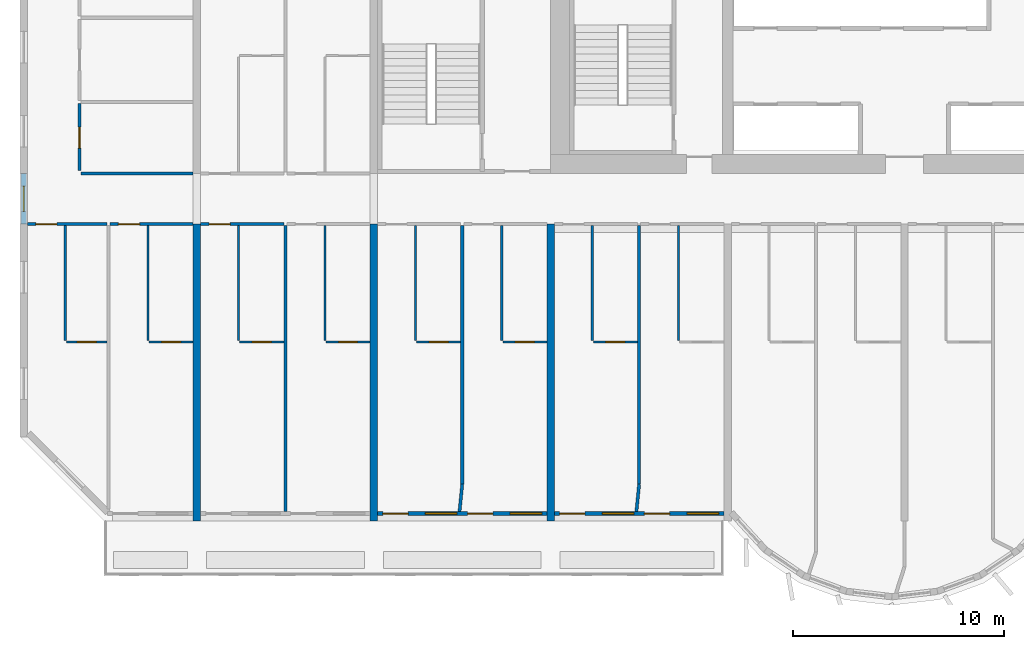
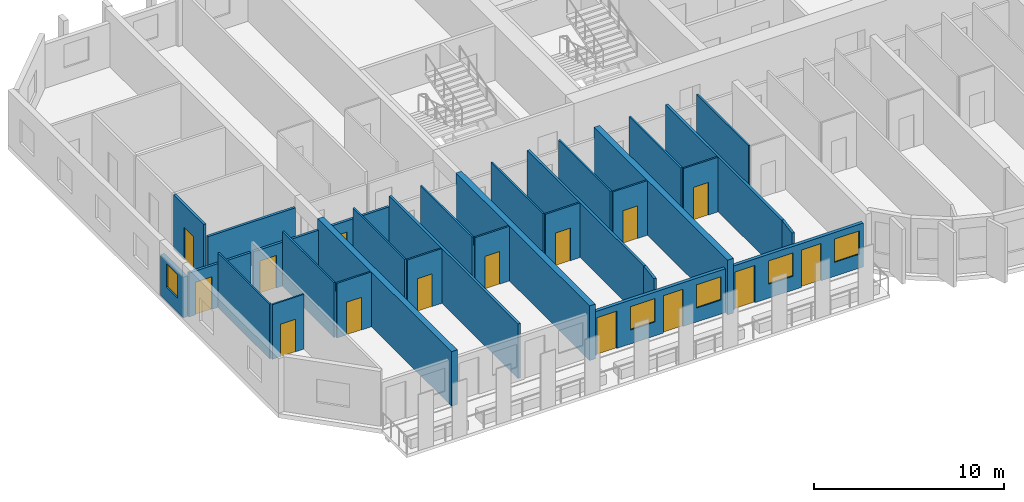
# One storey, part 3 of 15: 31 walls, 15 doors, 5 windows, 20 openings.
"""IFC4 building model written with IfcOpenShell, lengths in metres."""

from ifc_helpers import new_model, si_unit, direction, frame, frame_2d, origin, place, context, subcontext, project, spatial, rectangle, extrude, source, transform, mapped, material, layer, layer_set, type_object, element, fill, save


model = new_model("IFC4")

# Units and contexts
model_context = context("Model", 3, precision=1e-05, world=origin(), true_north=direction((0.0, 1.0)))
body_context = subcontext(model_context, "Body", "Model", "MODEL_VIEW")
ifc_project = project(units=[si_unit("LENGTHUNIT", "METRE"), si_unit("AREAUNIT", "SQUARE_METRE"), si_unit("VOLUMEUNIT", "CUBIC_METRE"), si_unit("PLANEANGLEUNIT", "RADIAN"), si_unit("MASSUNIT", "GRAM", prefix="KILO")], contexts=[model_context])

# Site, building, storey
site_placement = place(None, origin())
site = spatial("IfcSite", under=ifc_project, at=site_placement, CompositionType="ELEMENT")
building_placement = place(site_placement, origin())
building = spatial("IfcBuilding", under=site, at=building_placement, Name="Vanashikhar Sky Hotel", CompositionType="ELEMENT")
storey_placement = place(building_placement, frame((0.0, 0.0, 106.60009765625)))
storey = spatial("IfcBuildingStorey", under=building, at=storey_placement, Name="L25", CompositionType="ELEMENT", Elevation=106.60009765625)

# Walls
ifc_material_1 = material(Name="Concrete M70", Category="concrete")
ifc_layer_1 = layer(ifc_material_1, 0.35009765625)
ifc_layer_set_1 = layer_set([ifc_layer_1], Name="RC shear wall 350 Concrete M70")
wall_type_1 = type_object("IfcWallType", Name="RC shear wall 350 Concrete M70", PredefinedType="SHEAR", material=ifc_layer_set_1)
shared_shape_1 = source(origin(), body_context, "Body", "SweptSolid", [
    extrude(rectangle(XDim=14.10009765625, YDim=0.35009765625, at=frame_2d((7.050048828125, 0.0))), origin(), (0.0, 0.0, 1.0), 3.52001953125),
])
for number, where, z_axis, x_axis, name in (
    (1, (8.39990234375, 5.5, 0.0), (0.0, 0.0, 1.0), (0.0, 1.0, 0.0), "CW-L25-XW02-1"),
    (2, (16.800048828125, 5.5, 0.0), (0.0, 0.0, 1.0), (0.0, 1.0, 0.0), "CW-L25-XW03-1"),
    (3, (25.199951171875, 5.5, 0.0), (0.0, 0.0, 1.0), (0.0, 1.0, 0.0), "CW-L25-XW04-1"),
):
    element("IfcWall", number, at=place(storey_placement, frame(where, z_axis=z_axis, x_axis=x_axis)), inside=storey, type_object=wall_type_1, Name=name, PredefinedType="SHEAR", context=body_context, shape_type="MappedRepresentation", body=[
        mapped(shared_shape_1, transform((0.0, 0.0, 0.0), scale=1.0)),
    ])

# Wall, opening, window
ifc_material_2 = material(Name="Concrete M50", Category="concrete")
ifc_layer_2 = layer(ifc_material_2, 0.25)
ifc_layer_set_2 = layer_set([ifc_layer_2], Name="Rear and end board-marked wall 250")
wall_type_2 = type_object("IfcWallType", Name="Rear and end board-marked wall 250", PredefinedType="SOLIDWALL", material=ifc_layer_set_2)
shared_shape_2 = source(origin(), body_context, "Body", "SweptSolid", [
    extrude(rectangle(XDim=2.39990234375, YDim=0.25, at=frame_2d((1.199951171875, 0.0))), origin(), (0.0, 0.0, 1.0), 2.619873046875),
])
wall_1_placement = place(storey_placement, frame((0.175048828125, 19.60009765625, 0.0), z_axis=(0.0, 0.0, 1.0), x_axis=(0.0, 1.0, 0.0)))
wall_1 = element("IfcWall", 4, at=wall_1_placement, inside=storey, type_object=wall_type_2, Name="End corridor infill wall", PredefinedType="SOLIDWALL", context=body_context, shape_type="MappedRepresentation", body=[
    mapped(shared_shape_2, transform((0.0, 0.0, 0.0), scale=1.0)),
])
shared_shape_3 = source(origin(), body_context, "Body", "SweptSolid", [
    extrude(rectangle(XDim=1.199951171875, YDim=1.5, at=frame_2d((0.60009765625, 0.75))), frame((0.0, 0.135009765625, 0.0), z_axis=(0.0, -1.0, 0.0), x_axis=(1.0, 0.0, 0.0)), (0.0, 0.0, 1.0), 0.27001953125),
])
opening_1_placement = place(wall_1_placement, frame((0.60009765625, 0.0, 0.89990234375)))
opening_1 = element("IfcOpeningElement", 5, at=opening_1_placement, cuts=wall_1, Name="Opening WN-3", PredefinedType="OPENING", context=body_context, shape_type="MappedRepresentation", body=[
    mapped(shared_shape_3, transform((0.0, 0.0, 0.0), scale=1.0)),
])
ifc_material_3 = material(Name="Glass", Category="glass")
window_type_1 = type_object("IfcWindowType", Name="Corridor end window 1200 x 1500", PartitioningType="SINGLE_PANEL", PredefinedType="WINDOW", material=ifc_material_3)
shared_shape_4 = source(origin(), body_context, "Body", "SweptSolid", [
    extrude(rectangle(XDim=1.199951171875, YDim=1.5, at=frame_2d((0.60009765625, 0.75))), frame((0.0, 0.030029296875, 0.0), z_axis=(0.0, -1.0, 0.0), x_axis=(1.0, 0.0, 0.0)), (0.0, 0.0, 1.0), 0.06005859375),
])
window_1_placement = place(opening_1_placement, origin())
window_1 = element("IfcWindow", 6, at=window_1_placement, inside=storey, type_object=window_type_1, Name="Window WN-3", OverallHeight=1.5, OverallWidth=1.199951171875, PartitioningType="SINGLE_PANEL", PredefinedType="WINDOW", context=body_context, shape_type="MappedRepresentation", body=[
    mapped(shared_shape_4, transform((0.0, 0.0, 0.0), scale=1.0)),
])
fill(opening_1, window_1)

# Wall, openings, windows, doors
ifc_layer_3 = layer(ifc_material_2, 0.199951171875)
ifc_layer_set_3 = layer_set([ifc_layer_3], Name="Front window wall 200")
wall_type_3 = type_object("IfcWallType", Name="Front window wall 200", PredefinedType="SOLIDWALL", material=ifc_layer_set_3)
shared_shape_5 = source(origin(), body_context, "Body", "SweptSolid", [
    extrude(rectangle(XDim=8.050048828125, YDim=0.199951171875, at=frame_2d((4.02490234375, 0.0))), origin(), (0.0, 0.0, 1.0), 2.81982421875),
])
wall_2_placement = place(storey_placement, frame((25.375, 5.85009765625, 0.0), z_axis=(0.0, 0.0, 1.0), x_axis=(1.0, 0.0, 0.0)))
wall_2 = element("IfcWall", 7, at=wall_2_placement, inside=storey, type_object=wall_type_3, Name="Front window wall", PredefinedType="SOLIDWALL", context=body_context, shape_type="MappedRepresentation", body=[
    mapped(shared_shape_5, transform((0.0, 0.0, 0.0), scale=1.0)),
])
shared_shape_6 = source(origin(), body_context, "Body", "SweptSolid", [
    extrude(rectangle(XDim=1.199951171875, YDim=2.39990234375, at=frame_2d((0.60009765625, 1.199951171875))), frame((0.0, 0.10986328125, 0.0), z_axis=(0.0, -1.0, 0.0), x_axis=(1.0, 0.0, 0.0)), (0.0, 0.0, 1.0), 0.219970703125),
])
opening_2_placement = place(wall_2_placement, frame((0.25, 0.0, 0.0)))
opening_2 = element("IfcOpeningElement", 8, at=opening_2_placement, cuts=wall_2, Name="Opening BD-06", PredefinedType="OPENING", context=body_context, shape_type="MappedRepresentation", body=[
    mapped(shared_shape_6, transform((0.0, 0.0, 0.0), scale=1.0)),
])
shared_shape_7 = source(origin(), body_context, "Body", "SweptSolid", [
    extrude(rectangle(XDim=1.5, YDim=1.5, at=frame_2d((0.75, 0.75))), frame((0.0, 0.10986328125, 0.0), z_axis=(0.0, -1.0, 0.0), x_axis=(1.0, 0.0, 0.0)), (0.0, 0.0, 1.0), 0.219970703125),
])
opening_3_placement = place(wall_2_placement, frame((2.27490234375, 0.0, 0.89990234375)))
opening_3 = element("IfcOpeningElement", 9, at=opening_3_placement, cuts=wall_2, Name="Opening WN-1", PredefinedType="OPENING", context=body_context, shape_type="MappedRepresentation", body=[
    mapped(shared_shape_7, transform((0.0, 0.0, 0.0), scale=1.0)),
])
opening_4_placement = place(wall_2_placement, frame((4.27490234375, 0.0, 0.0)))
opening_4 = element("IfcOpeningElement", 10, at=opening_4_placement, cuts=wall_2, Name="Opening BD-07", PredefinedType="OPENING", context=body_context, shape_type="MappedRepresentation", body=[
    mapped(shared_shape_6, transform((0.0, 0.0, 0.0), scale=1.0)),
])
opening_5_placement = place(wall_2_placement, frame((6.300048828125, 0.0, 0.89990234375)))
opening_5 = element("IfcOpeningElement", 11, at=opening_5_placement, cuts=wall_2, Name="Opening WN-1", PredefinedType="OPENING", context=body_context, shape_type="MappedRepresentation", body=[
    mapped(shared_shape_7, transform((0.0, 0.0, 0.0), scale=1.0)),
])
window_type_2 = type_object("IfcWindowType", Name="Window 1500 x 1500", PartitioningType="SINGLE_PANEL", PredefinedType="WINDOW", material=ifc_material_3)
shared_shape_8 = source(origin(), body_context, "Body", "SweptSolid", [
    extrude(rectangle(XDim=1.5, YDim=1.5, at=frame_2d((0.75, 0.75))), frame((0.0, 0.030029296875, 0.0), z_axis=(0.0, -1.0, 0.0), x_axis=(1.0, 0.0, 0.0)), (0.0, 0.0, 1.0), 0.06005859375),
])
window_2_placement = place(opening_3_placement, origin())
window_2 = element("IfcWindow", 12, at=window_2_placement, inside=storey, type_object=window_type_2, Name="Window WN-1", OverallHeight=1.5, OverallWidth=1.5, PartitioningType="SINGLE_PANEL", PredefinedType="WINDOW", context=body_context, shape_type="MappedRepresentation", body=[
    mapped(shared_shape_8, transform((0.0, 0.0, 0.0), scale=1.0)),
])
fill(opening_3, window_2)
window_3_placement = place(opening_5_placement, origin())
window_3 = element("IfcWindow", 13, at=window_3_placement, inside=storey, type_object=window_type_2, Name="Window WN-1", OverallHeight=1.5, OverallWidth=1.5, PartitioningType="SINGLE_PANEL", PredefinedType="WINDOW", context=body_context, shape_type="MappedRepresentation", body=[
    mapped(shared_shape_8, transform((0.0, 0.0, 0.0), scale=1.0)),
])
fill(opening_5, window_3)
ifc_material_4 = material(Name="Aluminium", Category="aluminium")
door_type_1 = type_object("IfcDoorType", Name="Balcony sliding door 1200 x 2400", OperationType="NOTDEFINED", PredefinedType="DOOR", material=ifc_material_4)
shared_shape_9 = source(origin(), body_context, "Body", "SweptSolid", [
    extrude(rectangle(XDim=1.199951171875, YDim=2.39990234375, at=frame_2d((0.60009765625, 1.199951171875))), frame((0.0, 0.02490234375, 0.0), z_axis=(0.0, -1.0, 0.0), x_axis=(1.0, 0.0, 0.0)), (0.0, 0.0, 1.0), 0.050048828125),
])
door_1_placement = place(opening_2_placement, origin())
door_1 = element("IfcDoor", 14, at=door_1_placement, inside=storey, type_object=door_type_1, Name="Balcony sliding door", OperationType="SLIDING_TO_RIGHT", OverallHeight=2.39990234375, OverallWidth=1.199951171875, PredefinedType="DOOR", context=body_context, shape_type="MappedRepresentation", body=[
    mapped(shared_shape_9, transform((0.0, 0.0, 0.0), scale=1.0)),
])
fill(opening_2, door_1)
door_2_placement = place(opening_4_placement, origin())
door_2 = element("IfcDoor", 15, at=door_2_placement, inside=storey, type_object=door_type_1, Name="Balcony sliding door", OperationType="SLIDING_TO_LEFT", OverallHeight=2.39990234375, OverallWidth=1.199951171875, PredefinedType="DOOR", context=body_context, shape_type="MappedRepresentation", body=[
    mapped(shared_shape_9, transform((0.0, 0.0, 0.0), scale=1.0)),
])
fill(opening_4, door_2)

shared_shape_10 = source(origin(), body_context, "Body", "SweptSolid", [
    extrude(rectangle(XDim=8.0498046875, YDim=0.199951171875, at=frame_2d((4.02490234375, 0.0))), origin(), (0.0, 0.0, 1.0), 2.81982421875),
])
wall_3_placement = place(storey_placement, frame((16.97509765625, 5.85009765625, 0.0), z_axis=(0.0, 0.0, 1.0), x_axis=(1.0, 0.0, 0.0)))
wall_3 = element("IfcWall", 16, at=wall_3_placement, inside=storey, type_object=wall_type_3, Name="Front window wall", PredefinedType="SOLIDWALL", context=body_context, shape_type="MappedRepresentation", body=[
    mapped(shared_shape_10, transform((0.0, 0.0, 0.0), scale=1.0)),
])
opening_6_placement = place(wall_3_placement, frame((0.25, 0.0, 0.0)))
opening_6 = element("IfcOpeningElement", 17, at=opening_6_placement, cuts=wall_3, Name="Opening BD-04", PredefinedType="OPENING", context=body_context, shape_type="MappedRepresentation", body=[
    mapped(shared_shape_6, transform((0.0, 0.0, 0.0), scale=1.0)),
])
opening_7_placement = place(wall_3_placement, frame((2.27490234375, 0.0, 0.89990234375)))
opening_7 = element("IfcOpeningElement", 18, at=opening_7_placement, cuts=wall_3, Name="Opening WN-1", PredefinedType="OPENING", context=body_context, shape_type="MappedRepresentation", body=[
    mapped(shared_shape_7, transform((0.0, 0.0, 0.0), scale=1.0)),
])
opening_8_placement = place(wall_3_placement, frame((4.27490234375, 0.0, 0.0)))
opening_8 = element("IfcOpeningElement", 19, at=opening_8_placement, cuts=wall_3, Name="Opening BD-05", PredefinedType="OPENING", context=body_context, shape_type="MappedRepresentation", body=[
    mapped(shared_shape_6, transform((0.0, 0.0, 0.0), scale=1.0)),
])
opening_9_placement = place(wall_3_placement, frame((6.300048828125, 0.0, 0.89990234375)))
opening_9 = element("IfcOpeningElement", 20, at=opening_9_placement, cuts=wall_3, Name="Opening WN-1", PredefinedType="OPENING", context=body_context, shape_type="MappedRepresentation", body=[
    mapped(shared_shape_7, transform((0.0, 0.0, 0.0), scale=1.0)),
])
window_4_placement = place(opening_7_placement, origin())
window_4 = element("IfcWindow", 21, at=window_4_placement, inside=storey, type_object=window_type_2, Name="Window WN-1", OverallHeight=1.5, OverallWidth=1.5, PartitioningType="SINGLE_PANEL", PredefinedType="WINDOW", context=body_context, shape_type="MappedRepresentation", body=[
    mapped(shared_shape_8, transform((0.0, 0.0, 0.0), scale=1.0)),
])
fill(opening_7, window_4)
window_5_placement = place(opening_9_placement, origin())
window_5 = element("IfcWindow", 22, at=window_5_placement, inside=storey, type_object=window_type_2, Name="Window WN-1", OverallHeight=1.5, OverallWidth=1.5, PartitioningType="SINGLE_PANEL", PredefinedType="WINDOW", context=body_context, shape_type="MappedRepresentation", body=[
    mapped(shared_shape_8, transform((0.0, 0.0, 0.0), scale=1.0)),
])
fill(opening_9, window_5)
door_3_placement = place(opening_6_placement, origin())
door_3 = element("IfcDoor", 23, at=door_3_placement, inside=storey, type_object=door_type_1, Name="Balcony sliding door", OperationType="SLIDING_TO_RIGHT", OverallHeight=2.39990234375, OverallWidth=1.199951171875, PredefinedType="DOOR", context=body_context, shape_type="MappedRepresentation", body=[
    mapped(shared_shape_9, transform((0.0, 0.0, 0.0), scale=1.0)),
])
fill(opening_6, door_3)
door_4_placement = place(opening_8_placement, origin())
door_4 = element("IfcDoor", 24, at=door_4_placement, inside=storey, type_object=door_type_1, Name="Balcony sliding door", OperationType="SLIDING_TO_LEFT", OverallHeight=2.39990234375, OverallWidth=1.199951171875, PredefinedType="DOOR", context=body_context, shape_type="MappedRepresentation", body=[
    mapped(shared_shape_9, transform((0.0, 0.0, 0.0), scale=1.0)),
])
fill(opening_8, door_4)

# Wall, opening, door
ifc_material_5 = material(Name="Gypsum plasterboard partition")
ifc_layer_4 = layer(ifc_material_5, 0.14990234375)
ifc_layer_set_4 = layer_set([ifc_layer_4], Name="Corridor and demising partition 150")
wall_type_4 = type_object("IfcWallType", Name="Corridor and demising partition 150", PredefinedType="PARTITIONING", material=ifc_layer_set_4)
shared_shape_11 = source(origin(), body_context, "Body", "SweptSolid", [
    extrude(rectangle(XDim=3.175048828125, YDim=0.14990234375, at=frame_2d((1.58740234375, 0.0))), origin(), (0.0, 0.0, 1.0), 3.52001953125),
])
wall_4_placement = place(storey_placement, frame((2.824951171875, 22.14990234375, 0.0), z_axis=(0.0, 0.0, 1.0), x_axis=(0.0, 1.0, 0.0)))
wall_4 = element("IfcWall", 25, at=wall_4_placement, inside=storey, type_object=wall_type_4, Name="W-L25-PW082", PredefinedType="PARTITIONING", context=body_context, shape_type="MappedRepresentation", body=[
    mapped(shared_shape_11, transform((0.0, 0.0, 0.0), scale=1.0)),
])
shared_shape_12 = source(origin(), body_context, "Body", "SweptSolid", [
    extrude(rectangle(XDim=1.0, YDim=2.10009765625, at=frame_2d((0.5, 1.050048828125))), frame((0.0, 0.0849609375, 0.0), z_axis=(0.0, -1.0, 0.0), x_axis=(1.0, 0.0, 0.0)), (0.0, 0.0, 1.0), 0.169921875),
])
opening_10_placement = place(wall_4_placement, frame((1.050048828125, 0.0, 0.0)))
opening_10 = element("IfcOpeningElement", 26, at=opening_10_placement, cuts=wall_4, Name="Opening D-01", PredefinedType="OPENING", context=body_context, shape_type="MappedRepresentation", body=[
    mapped(shared_shape_12, transform((0.0, 0.0, 0.0), scale=1.0)),
])
ifc_material_6 = material(Name="Timber fire door", Category="wood")
door_type_2 = type_object("IfcDoorType", Name="Guest entry door 1000 FD30S", OperationType="NOTDEFINED", PredefinedType="DOOR", material=ifc_material_6)
shared_shape_13 = source(origin(), body_context, "Body", "SweptSolid", [
    extrude(rectangle(XDim=1.0, YDim=2.10009765625, at=frame_2d((0.5, 1.050048828125))), frame((0.0, 0.02490234375, 0.0), z_axis=(0.0, -1.0, 0.0), x_axis=(1.0, 0.0, 0.0)), (0.0, 0.0, 1.0), 0.050048828125),
])
door_5_placement = place(opening_10_placement, origin())
door_5 = element("IfcDoor", 27, at=door_5_placement, inside=storey, type_object=door_type_2, Name="D-L25-046", OperationType="SINGLE_SWING_LEFT", OverallHeight=2.10009765625, OverallWidth=1.0, PredefinedType="DOOR", context=body_context, shape_type="MappedRepresentation", body=[
    mapped(shared_shape_13, transform((0.0, 0.0, 0.0), scale=1.0)),
])
fill(opening_10, door_5)

# Walls
ifc_layer_5 = layer(ifc_material_5, 0.10009765625)
ifc_layer_set_5 = layer_set([ifc_layer_5], Name="Wet room partition 100")
wall_type_5 = type_object("IfcWallType", Name="Wet room partition 100", PredefinedType="PARTITIONING", material=ifc_layer_set_5)
shared_shape_14 = source(origin(), body_context, "Body", "SweptSolid", [
    extrude(rectangle(XDim=5.449951171875, YDim=0.10009765625, at=frame_2d((2.72509765625, 0.0))), origin(), (0.0, 0.0, 1.0), 3.52001953125),
])
for number, where, z_axis, x_axis, name in (
    (28, (2.14990234375, 14.074951171875, 0.0), (0.0, 0.0, 1.0), (0.0, 1.0, 0.0), "W-L25-PW001"),
    (29, (6.074951171875, 14.074951171875, 0.0), (0.0, 0.0, 1.0), (0.0, 1.0, 0.0), "W-L25-PW004"),
    (30, (10.375, 14.074951171875, 0.0), (0.0, 0.0, 1.0), (0.0, 1.0, 0.0), "W-L25-PW008"),
    (31, (14.47509765625, 14.074951171875, 0.0), (0.0, 0.0, 1.0), (0.0, 1.0, 0.0), "W-L25-PW011"),
    (32, (18.77490234375, 14.074951171875, 0.0), (0.0, 0.0, 1.0), (0.0, 1.0, 0.0), "W-L25-PW015"),
    (33, (22.875, 14.074951171875, 0.0), (0.0, 0.0, 1.0), (0.0, 1.0, 0.0), "W-L25-PW018"),
    (34, (27.175048828125, 14.074951171875, 0.0), (0.0, 0.0, 1.0), (0.0, 1.0, 0.0), "W-L25-PW022"),
    (35, (31.27490234375, 14.074951171875, 0.0), (0.0, 0.0, 1.0), (0.0, 1.0, 0.0), "W-L25-PW025"),
):
    element("IfcWall", number, at=place(storey_placement, frame(where, z_axis=z_axis, x_axis=x_axis)), inside=storey, type_object=wall_type_5, Name=name, PredefinedType="PARTITIONING", context=body_context, shape_type="MappedRepresentation", body=[
        mapped(shared_shape_14, transform((0.0, 0.0, 0.0), scale=1.0)),
    ])

# Wall, opening, door
shared_shape_15 = source(origin(), body_context, "Body", "SweptSolid", [
    extrude(rectangle(XDim=1.925048828125, YDim=0.10009765625, at=frame_2d((0.96240234375, 0.0))), origin(), (0.0, 0.0, 1.0), 3.52001953125),
])
wall_5_placement = place(storey_placement, frame((2.199951171875, 14.0, 0.0), z_axis=(0.0, 0.0, 1.0), x_axis=(1.0, 0.0, 0.0)))
wall_5 = element("IfcWall", 36, at=wall_5_placement, inside=storey, type_object=wall_type_5, Name="W-L25-PW002", PredefinedType="PARTITIONING", context=body_context, shape_type="MappedRepresentation", body=[
    mapped(shared_shape_15, transform((0.0, 0.0, 0.0), scale=1.0)),
])
shared_shape_16 = source(origin(), body_context, "Body", "SweptSolid", [
    extrude(rectangle(XDim=0.89990234375, YDim=2.10009765625, at=frame_2d((0.449951171875, 1.050048828125))), frame((0.0, 0.06005859375, 0.0), z_axis=(0.0, -1.0, 0.0), x_axis=(1.0, 0.0, 0.0)), (0.0, 0.0, 1.0), 0.1201171875),
])
opening_11_placement = place(wall_5_placement, frame((0.511962890625, 0.0, 0.0)))
opening_11 = element("IfcOpeningElement", 37, at=opening_11_placement, cuts=wall_5, Name="Opening D-02", PredefinedType="OPENING", context=body_context, shape_type="MappedRepresentation", body=[
    mapped(shared_shape_16, transform((0.0, 0.0, 0.0), scale=1.0)),
])
ifc_material_7 = material(Name="Timber door", Category="wood")
door_type_3 = type_object("IfcDoorType", Name="Internal door 900", OperationType="NOTDEFINED", PredefinedType="DOOR", material=ifc_material_7)
shared_shape_17 = source(origin(), body_context, "Body", "SweptSolid", [
    extrude(rectangle(XDim=0.89990234375, YDim=2.10009765625, at=frame_2d((0.449951171875, 1.050048828125))), frame((0.0, 0.02490234375, 0.0), z_axis=(0.0, -1.0, 0.0), x_axis=(1.0, 0.0, 0.0)), (0.0, 0.0, 1.0), 0.050048828125),
])
door_6_placement = place(opening_11_placement, origin())
door_6 = element("IfcDoor", 38, at=door_6_placement, inside=storey, type_object=door_type_3, Name="D-L25-001", OperationType="SINGLE_SWING_LEFT", OverallHeight=2.10009765625, OverallWidth=0.89990234375, PredefinedType="DOOR", context=body_context, shape_type="MappedRepresentation", body=[
    mapped(shared_shape_17, transform((0.0, 0.0, 0.0), scale=1.0)),
])
fill(opening_11, door_6)

shared_shape_18 = source(origin(), body_context, "Body", "SweptSolid", [
    extrude(rectangle(XDim=2.10009765625, YDim=0.10009765625, at=frame_2d((1.050048828125, 0.0))), origin(), (0.0, 0.0, 1.0), 3.52001953125),
])
wall_6_placement = place(storey_placement, frame((6.125, 14.0, 0.0), z_axis=(0.0, 0.0, 1.0), x_axis=(1.0, 0.0, 0.0)))
wall_6 = element("IfcWall", 39, at=wall_6_placement, inside=storey, type_object=wall_type_5, Name="W-L25-PW005", PredefinedType="PARTITIONING", context=body_context, shape_type="MappedRepresentation", body=[
    mapped(shared_shape_18, transform((0.0, 0.0, 0.0), scale=1.0)),
])
opening_12_placement = place(wall_6_placement, frame((0.60009765625, 0.0, 0.0)))
opening_12 = element("IfcOpeningElement", 40, at=opening_12_placement, cuts=wall_6, Name="Opening D-02", PredefinedType="OPENING", context=body_context, shape_type="MappedRepresentation", body=[
    mapped(shared_shape_16, transform((0.0, 0.0, 0.0), scale=1.0)),
])
door_7_placement = place(opening_12_placement, origin())
door_7 = element("IfcDoor", 41, at=door_7_placement, inside=storey, type_object=door_type_3, Name="D-L25-003", OperationType="SINGLE_SWING_LEFT", OverallHeight=2.10009765625, OverallWidth=0.89990234375, PredefinedType="DOOR", context=body_context, shape_type="MappedRepresentation", body=[
    mapped(shared_shape_17, transform((0.0, 0.0, 0.0), scale=1.0)),
])
fill(opening_12, door_7)

wall_7_placement = place(storey_placement, frame((14.52490234375, 14.0, 0.0), z_axis=(0.0, 0.0, 1.0), x_axis=(1.0, 0.0, 0.0)))
wall_7 = element("IfcWall", 42, at=wall_7_placement, inside=storey, type_object=wall_type_5, Name="W-L25-PW012", PredefinedType="PARTITIONING", context=body_context, shape_type="MappedRepresentation", body=[
    mapped(shared_shape_18, transform((0.0, 0.0, 0.0), scale=1.0)),
])
opening_13_placement = place(wall_7_placement, frame((0.60009765625, 0.0, 0.0)))
opening_13 = element("IfcOpeningElement", 43, at=opening_13_placement, cuts=wall_7, Name="Opening D-02", PredefinedType="OPENING", context=body_context, shape_type="MappedRepresentation", body=[
    mapped(shared_shape_16, transform((0.0, 0.0, 0.0), scale=1.0)),
])
door_8_placement = place(opening_13_placement, origin())
door_8 = element("IfcDoor", 44, at=door_8_placement, inside=storey, type_object=door_type_3, Name="D-L25-007", OperationType="SINGLE_SWING_LEFT", OverallHeight=2.10009765625, OverallWidth=0.89990234375, PredefinedType="DOOR", context=body_context, shape_type="MappedRepresentation", body=[
    mapped(shared_shape_17, transform((0.0, 0.0, 0.0), scale=1.0)),
])
fill(opening_13, door_8)

wall_8_placement = place(storey_placement, frame((18.824951171875, 14.0, 0.0), z_axis=(0.0, 0.0, 1.0), x_axis=(1.0, 0.0, 0.0)))
wall_8 = element("IfcWall", 45, at=wall_8_placement, inside=storey, type_object=wall_type_5, Name="W-L25-PW016", PredefinedType="PARTITIONING", context=body_context, shape_type="MappedRepresentation", body=[
    mapped(shared_shape_18, transform((0.0, 0.0, 0.0), scale=1.0)),
])
opening_14_placement = place(wall_8_placement, frame((0.60009765625, 0.0, 0.0)))
opening_14 = element("IfcOpeningElement", 46, at=opening_14_placement, cuts=wall_8, Name="Opening D-02", PredefinedType="OPENING", context=body_context, shape_type="MappedRepresentation", body=[
    mapped(shared_shape_16, transform((0.0, 0.0, 0.0), scale=1.0)),
])
door_9_placement = place(opening_14_placement, origin())
door_9 = element("IfcDoor", 47, at=door_9_placement, inside=storey, type_object=door_type_3, Name="D-L25-009", OperationType="SINGLE_SWING_LEFT", OverallHeight=2.10009765625, OverallWidth=0.89990234375, PredefinedType="DOOR", context=body_context, shape_type="MappedRepresentation", body=[
    mapped(shared_shape_17, transform((0.0, 0.0, 0.0), scale=1.0)),
])
fill(opening_14, door_9)

shared_shape_19 = source(origin(), body_context, "Body", "SweptSolid", [
    extrude(rectangle(XDim=2.099853515625, YDim=0.10009765625, at=frame_2d((1.0498046875, 0.0))), origin(), (0.0, 0.0, 1.0), 3.52001953125),
])
wall_9_placement = place(storey_placement, frame((10.425048828125, 14.0, 0.0), z_axis=(0.0, 0.0, 1.0), x_axis=(1.0, 0.0, 0.0)))
wall_9 = element("IfcWall", 48, at=wall_9_placement, inside=storey, type_object=wall_type_5, Name="W-L25-PW009", PredefinedType="PARTITIONING", context=body_context, shape_type="MappedRepresentation", body=[
    mapped(shared_shape_19, transform((0.0, 0.0, 0.0), scale=1.0)),
])
opening_15_placement = place(wall_9_placement, frame((0.60009765625, 0.0, 0.0)))
opening_15 = element("IfcOpeningElement", 49, at=opening_15_placement, cuts=wall_9, Name="Opening D-02", PredefinedType="OPENING", context=body_context, shape_type="MappedRepresentation", body=[
    mapped(shared_shape_16, transform((0.0, 0.0, 0.0), scale=1.0)),
])
door_10_placement = place(opening_15_placement, origin())
door_10 = element("IfcDoor", 50, at=door_10_placement, inside=storey, type_object=door_type_3, Name="D-L25-005", OperationType="SINGLE_SWING_LEFT", OverallHeight=2.10009765625, OverallWidth=0.89990234375, PredefinedType="DOOR", context=body_context, shape_type="MappedRepresentation", body=[
    mapped(shared_shape_17, transform((0.0, 0.0, 0.0), scale=1.0)),
])
fill(opening_15, door_10)

wall_10_placement = place(storey_placement, frame((22.925048828125, 14.0, 0.0), z_axis=(0.0, 0.0, 1.0), x_axis=(1.0, 0.0, 0.0)))
wall_10 = element("IfcWall", 51, at=wall_10_placement, inside=storey, type_object=wall_type_5, Name="W-L25-PW019", PredefinedType="PARTITIONING", context=body_context, shape_type="MappedRepresentation", body=[
    mapped(shared_shape_19, transform((0.0, 0.0, 0.0), scale=1.0)),
])
opening_16_placement = place(wall_10_placement, frame((0.60009765625, 0.0, 0.0)))
opening_16 = element("IfcOpeningElement", 52, at=opening_16_placement, cuts=wall_10, Name="Opening D-02", PredefinedType="OPENING", context=body_context, shape_type="MappedRepresentation", body=[
    mapped(shared_shape_16, transform((0.0, 0.0, 0.0), scale=1.0)),
])
door_11_placement = place(opening_16_placement, origin())
door_11 = element("IfcDoor", 53, at=door_11_placement, inside=storey, type_object=door_type_3, Name="D-L25-011", OperationType="SINGLE_SWING_LEFT", OverallHeight=2.10009765625, OverallWidth=0.89990234375, PredefinedType="DOOR", context=body_context, shape_type="MappedRepresentation", body=[
    mapped(shared_shape_17, transform((0.0, 0.0, 0.0), scale=1.0)),
])
fill(opening_16, door_11)

wall_11_placement = place(storey_placement, frame((27.22509765625, 14.0, 0.0), z_axis=(0.0, 0.0, 1.0), x_axis=(1.0, 0.0, 0.0)))
wall_11 = element("IfcWall", 54, at=wall_11_placement, inside=storey, type_object=wall_type_5, Name="W-L25-PW023", PredefinedType="PARTITIONING", context=body_context, shape_type="MappedRepresentation", body=[
    mapped(shared_shape_19, transform((0.0, 0.0, 0.0), scale=1.0)),
])
opening_17_placement = place(wall_11_placement, frame((0.60009765625, 0.0, 0.0)))
opening_17 = element("IfcOpeningElement", 55, at=opening_17_placement, cuts=wall_11, Name="Opening D-02", PredefinedType="OPENING", context=body_context, shape_type="MappedRepresentation", body=[
    mapped(shared_shape_16, transform((0.0, 0.0, 0.0), scale=1.0)),
])
door_12_placement = place(opening_17_placement, origin())
door_12 = element("IfcDoor", 56, at=door_12_placement, inside=storey, type_object=door_type_3, Name="D-L25-013", OperationType="SINGLE_SWING_LEFT", OverallHeight=2.10009765625, OverallWidth=0.89990234375, PredefinedType="DOOR", context=body_context, shape_type="MappedRepresentation", body=[
    mapped(shared_shape_17, transform((0.0, 0.0, 0.0), scale=1.0)),
])
fill(opening_17, door_12)

# Walls
shared_shape_20 = source(origin(), body_context, "Body", "SweptSolid", [
    extrude(rectangle(XDim=12.27490234375, YDim=0.14990234375, at=frame_2d((6.137451171875, 0.0))), origin(), (0.0, 0.0, 1.0), 3.52001953125),
])
for number, where, z_axis, x_axis, name in (
    (57, (21.0, 7.25, 0.0), (0.0, 0.0, 1.0), (0.0, 1.0, 0.0), "W-L25-PW021"),
    (58, (29.39990234375, 7.25, 0.0), (0.0, 0.0, 1.0), (0.0, 1.0, 0.0), "W-L25-PW028"),
):
    element("IfcWall", number, at=place(storey_placement, frame(where, z_axis=z_axis, x_axis=x_axis)), inside=storey, type_object=wall_type_4, Name=name, PredefinedType="PARTITIONING", context=body_context, shape_type="MappedRepresentation", body=[
        mapped(shared_shape_20, transform((0.0, 0.0, 0.0), scale=1.0)),
    ])
shared_shape_21 = source(origin(), body_context, "Body", "SweptSolid", [
    extrude(rectangle(XDim=1.306640625, YDim=0.14990234375, at=frame_2d((0.6533203125, 0.0))), origin(), (0.0, 0.0, 1.0), 3.52001953125),
])
for number, where, z_axis, x_axis, name in (
    (59, (20.8701171875, 5.949951171875, 0.0), (0.0, 0.0, 1.0), (0.099411212066, 0.995046436562, 0.0), "W-L25-PW021B0"),
    (60, (29.27001953125, 5.949951171875, 0.0), (0.0, 0.0, 1.0), (0.099411212066, 0.995046436562, 0.0), "W-L25-PW028B0"),
):
    element("IfcWall", number, at=place(storey_placement, frame(where, z_axis=z_axis, x_axis=x_axis)), inside=storey, type_object=wall_type_4, Name=name, PredefinedType="PARTITIONING", context=body_context, shape_type="MappedRepresentation", body=[
        mapped(shared_shape_21, transform((0.0, 0.0, 0.0), scale=1.0)),
    ])
shared_shape_22 = source(origin(), body_context, "Body", "SweptSolid", [
    extrude(rectangle(XDim=13.574951171875, YDim=0.14990234375, at=frame_2d((6.78759765625, 0.0))), origin(), (0.0, 0.0, 1.0), 3.52001953125),
])
wall_12_placement = place(storey_placement, frame((12.60009765625, 5.949951171875, 0.0), z_axis=(0.0, 0.0, 1.0), x_axis=(0.0, 1.0, 0.0)))
element("IfcWall", 61, at=wall_12_placement, inside=storey, type_object=wall_type_4, Name="W-L25-PW014", PredefinedType="PARTITIONING", context=body_context, shape_type="MappedRepresentation", body=[
    mapped(shared_shape_22, transform((0.0, 0.0, 0.0), scale=1.0)),
])

# Wall, opening, door
shared_shape_23 = source(origin(), body_context, "Body", "SweptSolid", [
    extrude(rectangle(XDim=3.77490234375, YDim=0.14990234375, at=frame_2d((1.887451171875, 0.0))), origin(), (0.0, 0.0, 1.0), 2.81982421875),
])
wall_13_placement = place(storey_placement, frame((0.35009765625, 19.60009765625, 0.0), z_axis=(0.0, 0.0, 1.0), x_axis=(1.0, 0.0, 0.0)))
wall_13 = element("IfcWall", 62, at=wall_13_placement, inside=storey, type_object=wall_type_4, Name="W-L25-PW003", PredefinedType="PARTITIONING", context=body_context, shape_type="MappedRepresentation", body=[
    mapped(shared_shape_23, transform((0.0, 0.0, 0.0), scale=1.0)),
])
opening_18_placement = place(wall_13_placement, frame((0.39990234375, 0.0, 0.0)))
opening_18 = element("IfcOpeningElement", 63, at=opening_18_placement, cuts=wall_13, Name="Opening D-01", PredefinedType="OPENING", context=body_context, shape_type="MappedRepresentation", body=[
    mapped(shared_shape_12, transform((0.0, 0.0, 0.0), scale=1.0)),
])
door_13_placement = place(opening_18_placement, origin())
door_13 = element("IfcDoor", 64, at=door_13_placement, inside=storey, type_object=door_type_2, Name="D-L25-002", OperationType="SINGLE_SWING_LEFT", OverallHeight=2.10009765625, OverallWidth=1.0, PredefinedType="DOOR", context=body_context, shape_type="MappedRepresentation", body=[
    mapped(shared_shape_13, transform((0.0, 0.0, 0.0), scale=1.0)),
])
fill(opening_18, door_13)

shared_shape_24 = source(origin(), body_context, "Body", "SweptSolid", [
    extrude(rectangle(XDim=3.9501953125, YDim=0.14990234375, at=frame_2d((1.97509765625, 0.0))), origin(), (0.0, 0.0, 1.0), 2.81982421875),
])
wall_14_placement = place(storey_placement, frame((4.27490234375, 19.60009765625, 0.0), z_axis=(0.0, 0.0, 1.0), x_axis=(1.0, 0.0, 0.0)))
wall_14 = element("IfcWall", 65, at=wall_14_placement, inside=storey, type_object=wall_type_4, Name="W-L25-PW006", PredefinedType="PARTITIONING", context=body_context, shape_type="MappedRepresentation", body=[
    mapped(shared_shape_24, transform((0.0, 0.0, 0.0), scale=1.0)),
])
opening_19_placement = place(wall_14_placement, frame((0.39990234375, 0.0, 0.0)))
opening_19 = element("IfcOpeningElement", 66, at=opening_19_placement, cuts=wall_14, Name="Opening D-01", PredefinedType="OPENING", context=body_context, shape_type="MappedRepresentation", body=[
    mapped(shared_shape_12, transform((0.0, 0.0, 0.0), scale=1.0)),
])
door_14_placement = place(opening_19_placement, origin())
door_14 = element("IfcDoor", 67, at=door_14_placement, inside=storey, type_object=door_type_2, Name="D-L25-004", OperationType="SINGLE_SWING_LEFT", OverallHeight=2.10009765625, OverallWidth=1.0, PredefinedType="DOOR", context=body_context, shape_type="MappedRepresentation", body=[
    mapped(shared_shape_13, transform((0.0, 0.0, 0.0), scale=1.0)),
])
fill(opening_19, door_14)

shared_shape_25 = source(origin(), body_context, "Body", "SweptSolid", [
    extrude(rectangle(XDim=3.949951171875, YDim=0.14990234375, at=frame_2d((1.97509765625, 0.0))), origin(), (0.0, 0.0, 1.0), 2.81982421875),
])
wall_15_placement = place(storey_placement, frame((8.574951171875, 19.60009765625, 0.0), z_axis=(0.0, 0.0, 1.0), x_axis=(1.0, 0.0, 0.0)))
wall_15 = element("IfcWall", 68, at=wall_15_placement, inside=storey, type_object=wall_type_4, Name="W-L25-PW010", PredefinedType="PARTITIONING", context=body_context, shape_type="MappedRepresentation", body=[
    mapped(shared_shape_25, transform((0.0, 0.0, 0.0), scale=1.0)),
])
opening_20_placement = place(wall_15_placement, frame((0.39990234375, 0.0, 0.0)))
opening_20 = element("IfcOpeningElement", 69, at=opening_20_placement, cuts=wall_15, Name="Opening D-01", PredefinedType="OPENING", context=body_context, shape_type="MappedRepresentation", body=[
    mapped(shared_shape_12, transform((0.0, 0.0, 0.0), scale=1.0)),
])
door_15_placement = place(opening_20_placement, origin())
door_15 = element("IfcDoor", 70, at=door_15_placement, inside=storey, type_object=door_type_2, Name="D-L25-006", OperationType="SINGLE_SWING_LEFT", OverallHeight=2.10009765625, OverallWidth=1.0, PredefinedType="DOOR", context=body_context, shape_type="MappedRepresentation", body=[
    mapped(shared_shape_13, transform((0.0, 0.0, 0.0), scale=1.0)),
])
fill(opening_20, door_15)

# Wall
shared_shape_26 = source(origin(), body_context, "Body", "SweptSolid", [
    extrude(rectangle(XDim=5.3251953125, YDim=0.14990234375, at=frame_2d((2.66259765625, 0.0))), origin(), (0.0, 0.0, 1.0), 2.81982421875),
])
wall_16_placement = place(storey_placement, frame((2.89990234375, 22.0, 0.0), z_axis=(0.0, 0.0, 1.0), x_axis=(1.0, 0.0, 0.0)))
element("IfcWall", 71, at=wall_16_placement, inside=storey, type_object=wall_type_4, Name="W-L25-PW081", PredefinedType="PARTITIONING", context=body_context, shape_type="MappedRepresentation", body=[
    mapped(shared_shape_26, transform((0.0, 0.0, 0.0), scale=1.0)),
])

save(model, "model.ifc")
